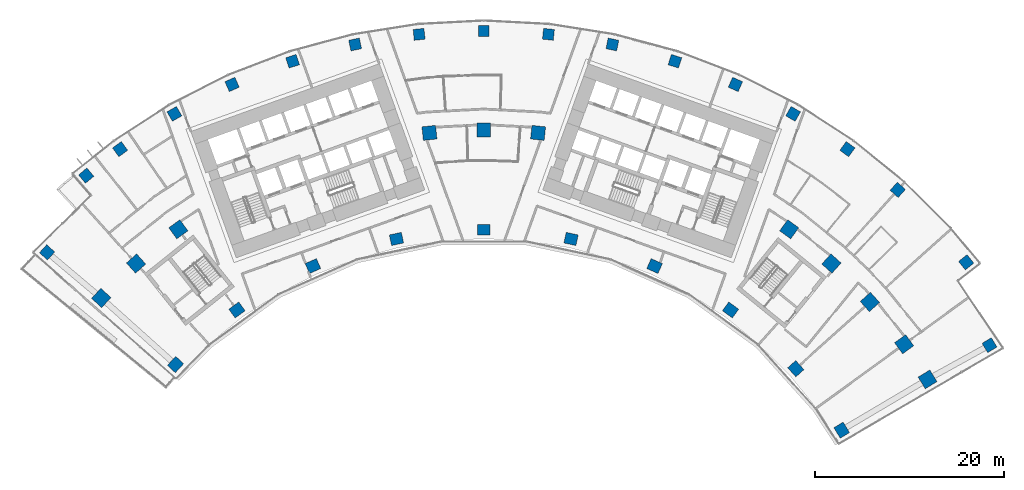
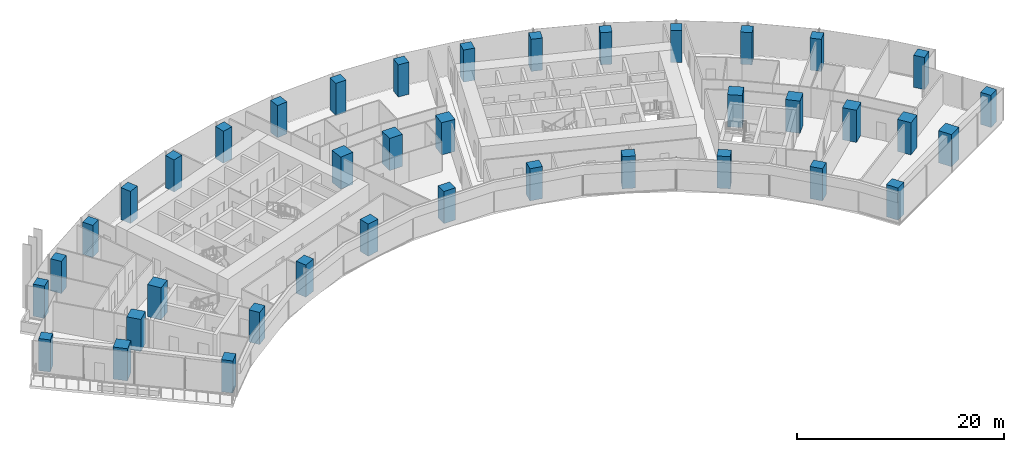
# One storey, part 1 of 21: 39 columns.
"""IFC4 building model written with IfcOpenShell, lengths in metres."""

from ifc_helpers import new_model, si_unit, direction, frame, origin, origin_2d, place, context, subcontext, project, spatial, rectangle, extrude, material, material_profile, profile_set, type_object, element, save


model = new_model("IFC4")

# Units and contexts
model_context = context("Model", 3, precision=1e-05, world=origin(), true_north=direction((0.0, 1.0)))
body_context = subcontext(model_context, "Body", "Model", "MODEL_VIEW")
ifc_project = project(units=[si_unit("LENGTHUNIT", "METRE"), si_unit("AREAUNIT", "SQUARE_METRE"), si_unit("VOLUMEUNIT", "CUBIC_METRE"), si_unit("PLANEANGLEUNIT", "RADIAN"), si_unit("MASSUNIT", "GRAM", prefix="KILO")], contexts=[model_context])

# Site, building, storey
site_placement = place(None, origin())
site = spatial("IfcSite", under=ifc_project, at=site_placement, CompositionType="ELEMENT")
building_placement = place(site_placement, origin())
building = spatial("IfcBuilding", under=site, at=building_placement, Name="Stone Belt Terrace Tower", CompositionType="ELEMENT")
storey_placement = place(building_placement, frame((0.0, 0.0, 113.60009765625)))
storey = spatial("IfcBuildingStorey", under=building, at=storey_placement, Name="L27", CompositionType="ELEMENT", Elevation=113.60009765625)

# Columns
ifc_material = material(Name="Concrete B80", Category="concrete")
ifc_material_profile_1 = material_profile(ifc_material, rectangle(XDim=1.14990234375, YDim=1.14990234375, at=origin_2d()), Name="RC 1150x1150")
ifc_profile_set_1 = profile_set([ifc_material_profile_1], Name="Concrete B80")
column_type_1 = type_object("IfcColumnType", Name="Column RC 1150x1150 B80", PredefinedType="COLUMN", material=ifc_profile_set_1)
for number, where, z_axis, x_axis, name in (
    (1, (-46.219970703125, 42.054443359375, 0.0), (0.0, 0.0, 1.0), (0.672991858851, 0.739649888745, 0.0), "Column L27 RA"),
    (2, (53.53662109375, 32.228515625, 0.0), (0.0, 0.0, 1.0), (0.515750011733, -0.856739123303, 0.0), "Column L27 RB"),
    (3, (-42.0830078125, 50.177734375, 0.0), (0.0, 0.0, 1.0), (0.76620260444, 0.642599073256, 0.0), "Column L27 RNA"),
    (4, (-38.493408203125, 52.981689453125, 0.0), (0.0, 0.0, 1.0), (0.809016994375, 0.587785252292, 0.0), "Column L27 R16"),
    (5, (-32.744384765625, 56.715087890625, 0.0), (0.0, 0.0, 1.0), (0.866025403784, 0.5, 0.0), "Column L27 R17"),
    (6, (-26.63671875, 59.8271484375, 0.0), (0.0, 0.0, 1.0), (0.913545457643, 0.406736643076, 0.0), "Column L27 R18"),
    (7, (-20.2373046875, 62.28369140625, 0.0), (0.0, 0.0, 1.0), (0.951056516295, 0.309016994375, 0.0), "Column L27 R19"),
    (8, (-13.615966796875, 64.057861328125, 0.0), (0.0, 0.0, 1.0), (0.978147600734, 0.207911690818, 0.0), "Column L27 R20"),
    (9, (-6.845458984375, 65.130126953125, 0.0), (0.0, 0.0, 1.0), (0.994521895368, 0.104528463268, 0.0), "Column L27 R21"),
    (10, (0.0, 65.489013671875, 0.0), (0.0, 0.0, 1.0), (1.0, 0.0, 0.0), "Column L27 R22"),
    (11, (6.845458984375, 65.130126953125, 0.0), (0.0, 0.0, 1.0), (0.994521895368, -0.104528463268, 0.0), "Column L27 R23"),
    (12, (13.615966796875, 64.057861328125, 0.0), (0.0, 0.0, 1.0), (0.978147600734, -0.207911690818, 0.0), "Column L27 R24"),
    (13, (20.2373046875, 62.28369140625, 0.0), (0.0, 0.0, 1.0), (0.951056516295, -0.309016994375, 0.0), "Column L27 R25"),
    (14, (26.63671875, 59.8271484375, 0.0), (0.0, 0.0, 1.0), (0.913545457643, -0.406736643076, 0.0), "Column L27 R26"),
    (15, (32.744384765625, 56.715087890625, 0.0), (0.0, 0.0, 1.0), (0.866025403784, -0.5, 0.0), "Column L27 R27"),
    (16, (38.493408203125, 52.981689453125, 0.0), (0.0, 0.0, 1.0), (0.809016994375, -0.587785252292, 0.0), "Column L27 R28"),
    (17, (43.820556640625, 48.667724609375, 0.0), (0.0, 0.0, 1.0), (0.743144825477, -0.669130606359, 0.0), "Column L27 R29"),
    (18, (51.064208984375, 41.002685546875, 0.0), (0.0, 0.0, 1.0), (0.626104488961, -0.779739167224, 0.0), "Column L27 RNB"),
):
    element("IfcColumn", number, at=place(storey_placement, frame(where, z_axis=z_axis, x_axis=x_axis)), inside=storey, type_object=column_type_1, Name=name, PredefinedType="COLUMN", context=body_context, shape_type="SweptSolid", body=[
        extrude(rectangle(XDim=1.14990234375, YDim=1.14990234375, at=origin_2d()), origin(), (0.0, 0.0, 1.0), 3.7998046875),
    ])
ifc_material_profile_2 = material_profile(ifc_material, rectangle(XDim=1.300048828125, YDim=1.14990234375, at=origin_2d()), Name="RC 1300x1150")
ifc_profile_set_2 = profile_set([ifc_material_profile_2], Name="Concrete B80")
column_type_2 = type_object("IfcColumnType", Name="Column RC 1300x1150 B80", PredefinedType="COLUMN", material=ifc_profile_set_2)
for number, where, z_axis, x_axis, name in (
    (19, (-32.626708984375, 30.1806640625, 0.0), (0.0, 0.0, 1.0), (0.679054468638, 0.734087888895, 0.0), "Column L27 PA"),
    (20, (-26.1240234375, 35.956787109375, 0.0), (0.0, 0.0, 1.0), (0.809016994375, 0.587785252292, 0.0), "Column L27 P16"),
    (21, (-18.077392578125, 40.6025390625, 0.0), (0.0, 0.0, 1.0), (0.913545457643, 0.406736643076, 0.0), "Column L27 P18"),
    (22, (-9.240478515625, 43.473876953125, 0.0), (0.0, 0.0, 1.0), (0.978147600734, 0.207911690818, 0.0), "Column L27 P20"),
    (23, (0.0, 44.445068359375, 0.0), (0.0, 0.0, 1.0), (1.0, 0.0, 0.0), "Column L27 P22"),
    (24, (9.240478515625, 43.473876953125, 0.0), (0.0, 0.0, 1.0), (0.978147600734, -0.207911690818, 0.0), "Column L27 P24"),
    (25, (18.077392578125, 40.6025390625, 0.0), (0.0, 0.0, 1.0), (0.913545457643, -0.406736643076, 0.0), "Column L27 P26"),
    (26, (26.1240234375, 35.956787109375, 0.0), (0.0, 0.0, 1.0), (0.809016994375, -0.587785252292, 0.0), "Column L27 P28"),
    (27, (33.029052734375, 29.739501953125, 0.0), (0.0, 0.0, 1.0), (0.669130606359, -0.743144825477, 0.0), "Column L27 P30"),
    (28, (37.887939453125, 23.235107421875, 0.0), (0.0, 0.0, 1.0), (0.522781282168, -0.852466850391, 0.0), "Column L27 PB"),
):
    element("IfcColumn", number, at=place(storey_placement, frame(where, z_axis=z_axis, x_axis=x_axis)), inside=storey, type_object=column_type_2, Name=name, PredefinedType="COLUMN", context=body_context, shape_type="SweptSolid", body=[
        extrude(rectangle(XDim=1.300048828125, YDim=1.14990234375, at=origin_2d()), origin(), (0.0, 0.0, 1.0), 3.7998046875),
    ])
ifc_material_profile_3 = material_profile(ifc_material, rectangle(XDim=1.449951171875, YDim=1.449951171875, at=origin_2d()), Name="RC 1450x1450")
ifc_profile_set_3 = profile_set([ifc_material_profile_3], Name="Concrete B80")
column_type_3 = type_object("IfcColumnType", Name="Column RC 1450x1450 B80", PredefinedType="COLUMN", material=ifc_profile_set_3)
for number, where, z_axis, x_axis, name in (
    (29, (-40.48828125, 37.22509765625, 0.0), (0.0, 0.0, 1.0), (0.676819439489, 0.736149065292, 0.0), "Column L27 QA"),
    (30, (-36.80224609375, 40.873046875, 0.0), (0.0, 0.0, 1.0), (0.743144825477, 0.669130606359, 0.0), "Column L27 Q15"),
    (31, (-32.328125, 44.495849609375, 0.0), (0.0, 0.0, 1.0), (0.809016994375, 0.587785252292, 0.0), "Column L27 Q16"),
    (32, (-5.7490234375, 54.69873046875, 0.0), (0.0, 0.0, 1.0), (0.994521895368, 0.104528463268, 0.0), "Column L27 Q21"),
    (33, (0.0, 55.0, 0.0), (0.0, 0.0, 1.0), (1.0, 0.0, 0.0), "Column L27 Q22"),
    (34, (5.7490234375, 54.69873046875, 0.0), (0.0, 0.0, 1.0), (0.994521895368, -0.104528463268, 0.0), "Column L27 Q23"),
    (35, (32.328125, 44.495849609375, 0.0), (0.0, 0.0, 1.0), (0.809016994375, -0.587785252292, 0.0), "Column L27 Q28"),
    (36, (36.80224609375, 40.873046875, 0.0), (0.0, 0.0, 1.0), (0.743144825477, -0.669130606359, 0.0), "Column L27 Q29"),
    (37, (40.873046875, 36.80224609375, 0.0), (0.0, 0.0, 1.0), (0.669130606359, -0.743144825477, 0.0), "Column L27 Q30"),
    (38, (44.495849609375, 32.328125, 0.0), (0.0, 0.0, 1.0), (0.587785252292, -0.809016994375, 0.0), "Column L27 Q31"),
    (39, (46.972900390625, 28.610107421875, 0.0), (0.0, 0.0, 1.0), (0.520185570168, -0.854053260979, 0.0), "Column L27 QB"),
):
    element("IfcColumn", number, at=place(storey_placement, frame(where, z_axis=z_axis, x_axis=x_axis)), inside=storey, type_object=column_type_3, Name=name, PredefinedType="COLUMN", context=body_context, shape_type="SweptSolid", body=[
        extrude(rectangle(XDim=1.449951171875, YDim=1.449951171875, at=origin_2d()), origin(), (0.0, 0.0, 1.0), 3.7998046875),
    ])

save(model, "model.ifc")
